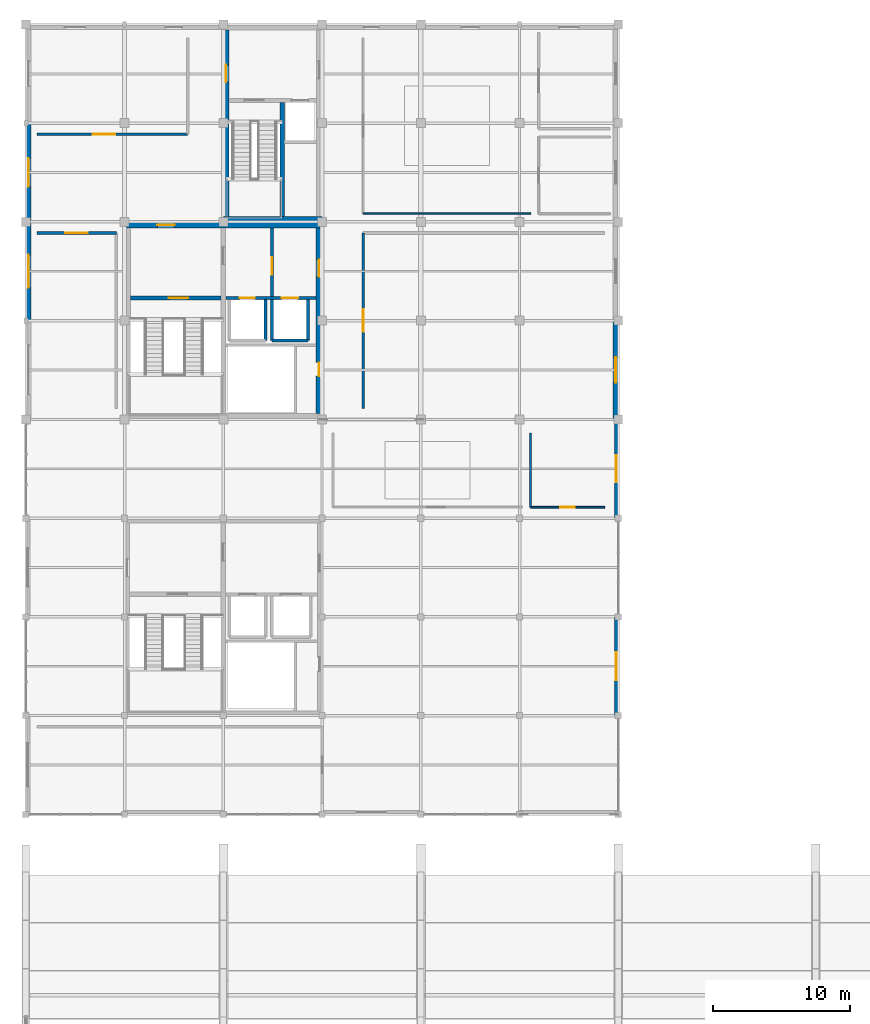
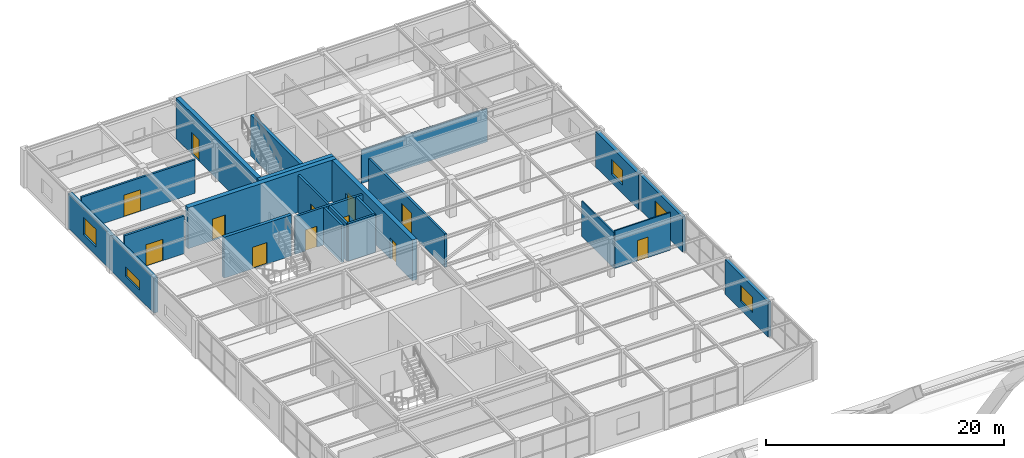
# One storey, part 57 of 64: 23 walls, 12 doors, 5 windows, 17 openings.
"""IFC4 building model written with IfcOpenShell, lengths in metres."""

from ifc_helpers import new_model, si_unit, direction, frame, frame_2d, origin, place, context, subcontext, project, spatial, rectangle, extrude, material, layer, layer_set, type_object, element, fill, save


model = new_model("IFC4")

# Units and contexts
model_context = context("Model", 3, precision=1e-05, world=origin(), true_north=direction((0.0, 1.0)))
body_context = subcontext(model_context, "Body", "Model", "MODEL_VIEW")
ifc_project = project(units=[si_unit("LENGTHUNIT", "METRE"), si_unit("AREAUNIT", "SQUARE_METRE"), si_unit("VOLUMEUNIT", "CUBIC_METRE"), si_unit("PLANEANGLEUNIT", "RADIAN"), si_unit("MASSUNIT", "GRAM", prefix="KILO")], contexts=[model_context])

# Site, building, storey
site_placement = place(None, origin())
site = spatial("IfcSite", under=ifc_project, at=site_placement, CompositionType="ELEMENT")
building_placement = place(site_placement, origin())
building = spatial("IfcBuilding", under=site, at=building_placement, Name="Leyfeld Transit Interchange", CompositionType="ELEMENT")
storey_placement = place(building_placement, frame((0.0, 0.0, 9.60009765625)))
storey = spatial("IfcBuildingStorey", under=building, at=storey_placement, Name="L02", CompositionType="ELEMENT", Elevation=9.60009765625)

# Wall, opening, window
ifc_material_1 = material(Name="Clinker brick masonry - Insulated", Category="masonry")
ifc_layer_1 = layer(ifc_material_1, 0.3798828125, Name="Clinker brick masonry - Insulated")
ifc_layer_set_1 = layer_set([ifc_layer_1], Name="Clinker brick masonry - Insulated")
wall_type_1 = type_object("IfcWallType", Name="WL-EXT-BRK-380", PredefinedType="SOLIDWALL", material=ifc_layer_set_1)
wall_1_placement = place(storey_placement, frame((0.18994140625, 100.800048828125, 0.0), z_axis=(0.0, 0.0, 1.0), x_axis=(0.0, 1.0, 0.0)))
wall_1 = element("IfcWall", 1, at=wall_1_placement, inside=storey, type_object=wall_type_1, Name="External Facade Wall EW-L02-076", PredefinedType="SOLIDWALL", context=body_context, shape_type="SweptSolid", body=[
    extrude(rectangle(XDim=7.199951171875, YDim=0.3798828125, at=frame_2d((3.60009765625, 0.0))), origin(), (0.0, 0.0, 1.0), 3.579833984375),
])
opening_1_placement = place(wall_1_placement, frame((2.39990234375, 0.0, 0.89990234375)))
opening_1 = element("IfcOpeningElement", 2, at=opening_1_placement, cuts=wall_1, Name="Opening W-05", PredefinedType="OPENING", context=body_context, shape_type="SweptSolid", body=[
    extrude(rectangle(XDim=2.39990234375, YDim=1.0, at=frame_2d((1.199951171875, 0.5))), frame((0.0, 0.199951171875, 0.0), z_axis=(0.0, -1.0, 0.0), x_axis=(1.0, 0.0, 0.0)), (0.0, 0.0, 1.0), 0.39990234375),
])
ifc_material_2 = material(Name="Triple low-E insulated glazing", Category="glass")
window_type_1 = type_object("IfcWindowType", Name="WIN-CLR-2400x1000", PartitioningType="SINGLE_PANEL", PredefinedType="WINDOW", material=ifc_material_2)
window_1_placement = place(opening_1_placement, origin())
window_1 = element("IfcWindow", 3, at=window_1_placement, inside=storey, type_object=window_type_1, Name="Facade Window L02 048", OverallHeight=1.0, OverallWidth=2.39990234375, PartitioningType="SINGLE_PANEL", PredefinedType="WINDOW", context=body_context, shape_type="SweptSolid", body=[
    extrude(rectangle(XDim=2.39990234375, YDim=1.0, at=frame_2d((1.199951171875, 0.5))), frame((0.0, 0.030029296875, 0.0), z_axis=(0.0, -1.0, 0.0), x_axis=(1.0, 0.0, 0.0)), (0.0, 0.0, 1.0), 0.06005859375),
])
fill(opening_1, window_1)

wall_2_placement = place(storey_placement, frame((0.18994140625, 108.0, 0.0), z_axis=(0.0, 0.0, 1.0), x_axis=(0.0, 1.0, 0.0)))
wall_2 = element("IfcWall", 4, at=wall_2_placement, inside=storey, type_object=wall_type_1, Name="External Facade Wall EW-L02-077", PredefinedType="SOLIDWALL", context=body_context, shape_type="SweptSolid", body=[
    extrude(rectangle(XDim=7.199951171875, YDim=0.3798828125, at=frame_2d((3.60009765625, 0.0))), origin(), (0.0, 0.0, 1.0), 3.579833984375),
])
opening_2_placement = place(wall_2_placement, frame((2.550048828125, 0.0, 0.89990234375)))
opening_2 = element("IfcOpeningElement", 5, at=opening_2_placement, cuts=wall_2, Name="Opening W-06", PredefinedType="OPENING", context=body_context, shape_type="SweptSolid", body=[
    extrude(rectangle(XDim=2.10009765625, YDim=1.800048828125, at=frame_2d((1.050048828125, 0.89990234375))), frame((0.0, 0.199951171875, 0.0), z_axis=(0.0, -1.0, 0.0), x_axis=(1.0, 0.0, 0.0)), (0.0, 0.0, 1.0), 0.39990234375),
])
window_type_2 = type_object("IfcWindowType", Name="WIN-PUN-2100x1800", PartitioningType="SINGLE_PANEL", PredefinedType="WINDOW", material=ifc_material_2)
window_2_placement = place(opening_2_placement, origin())
window_2 = element("IfcWindow", 6, at=window_2_placement, inside=storey, type_object=window_type_2, Name="Facade Window L02 049", OverallHeight=1.800048828125, OverallWidth=2.10009765625, PartitioningType="SINGLE_PANEL", PredefinedType="WINDOW", context=body_context, shape_type="SweptSolid", body=[
    extrude(rectangle(XDim=2.10009765625, YDim=1.800048828125, at=frame_2d((1.050048828125, 0.89990234375))), frame((0.0, 0.030029296875, 0.0), z_axis=(0.0, -1.0, 0.0), x_axis=(1.0, 0.0, 0.0)), (0.0, 0.0, 1.0), 0.06005859375),
])
fill(opening_2, window_2)

wall_3_placement = place(storey_placement, frame((43.010009765625, 100.800048828125, 0.0), z_axis=(0.0, 0.0, 1.0), x_axis=(0.0, -1.0, 0.0)))
wall_3 = element("IfcWall", 7, at=wall_3_placement, inside=storey, type_object=wall_type_1, Name="External Facade Wall EW-L02-087", PredefinedType="SOLIDWALL", context=body_context, shape_type="SweptSolid", body=[
    extrude(rectangle(XDim=7.199951171875, YDim=0.3798828125, at=frame_2d((3.60009765625, 0.0))), origin(), (0.0, 0.0, 1.0), 3.639892578125),
])
opening_3_placement = place(wall_3_placement, frame((2.675048828125, 0.0, 0.89990234375)))
opening_3 = element("IfcOpeningElement", 8, at=opening_3_placement, cuts=wall_3, Name="Opening WU-07", PredefinedType="OPENING", context=body_context, shape_type="SweptSolid", body=[
    extrude(rectangle(XDim=1.85009765625, YDim=1.5, at=frame_2d((0.925048828125, 0.75))), frame((0.0, 0.199951171875, 0.0), z_axis=(0.0, -1.0, 0.0), x_axis=(1.0, 0.0, 0.0)), (0.0, 0.0, 1.0), 0.39990234375),
])
window_type_3 = type_object("IfcWindowType", Name="WIN-UNQ-07", PartitioningType="SINGLE_PANEL", PredefinedType="WINDOW", material=ifc_material_2)
window_3_placement = place(opening_3_placement, origin())
window_3 = element("IfcWindow", 9, at=window_3_placement, inside=storey, type_object=window_type_3, Name="Facade Window L02 059", OverallHeight=1.5, OverallWidth=1.85009765625, PartitioningType="SINGLE_PANEL", PredefinedType="WINDOW", context=body_context, shape_type="SweptSolid", body=[
    extrude(rectangle(XDim=1.85009765625, YDim=1.5, at=frame_2d((0.925048828125, 0.75))), frame((0.0, 0.030029296875, 0.0), z_axis=(0.0, -1.0, 0.0), x_axis=(1.0, 0.0, 0.0)), (0.0, 0.0, 1.0), 0.06005859375),
])
fill(opening_3, window_3)

ifc_material_3 = material(Name="Austrian larch glulam GL28h", Category="wood")
ifc_layer_2 = layer(ifc_material_3, 0.2900390625, Name="Austrian larch glulam GL28h")
ifc_layer_set_2 = layer_set([ifc_layer_2], Name="Austrian larch glulam GL28h")
wall_type_2 = type_object("IfcWallType", Name="WL-EXT-LRC-290", PredefinedType="SOLIDWALL", material=ifc_layer_set_2)
wall_4_placement = place(storey_placement, frame((43.054931640625, 93.60009765625, 0.0), z_axis=(0.0, 0.0, 1.0), x_axis=(0.0, -1.0, 0.0)))
wall_4 = element("IfcWall", 10, at=wall_4_placement, inside=storey, type_object=wall_type_2, Name="External Facade Wall EW-L02-088", PredefinedType="SOLIDWALL", context=body_context, shape_type="SweptSolid", body=[
    extrude(rectangle(XDim=7.2001953125, YDim=0.2900390625, at=frame_2d((3.60009765625, 0.0))), origin(), (0.0, 0.0, 1.0), 3.599853515625),
])
opening_4_placement = place(wall_4_placement, frame((2.625, 0.0, 0.89990234375)))
opening_4 = element("IfcOpeningElement", 11, at=opening_4_placement, cuts=wall_4, Name="Opening WU-08", PredefinedType="OPENING", context=body_context, shape_type="SweptSolid", body=[
    extrude(rectangle(XDim=1.949951171875, YDim=1.550048828125, at=frame_2d((0.97509765625, 0.77490234375))), frame((0.0, 0.155029296875, 0.0), z_axis=(0.0, -1.0, 0.0), x_axis=(1.0, 0.0, 0.0)), (0.0, 0.0, 1.0), 0.31005859375),
])
window_type_4 = type_object("IfcWindowType", Name="WIN-UNQ-08", PartitioningType="SINGLE_PANEL", PredefinedType="WINDOW", material=ifc_material_2)
window_4_placement = place(opening_4_placement, origin())
window_4 = element("IfcWindow", 12, at=window_4_placement, inside=storey, type_object=window_type_4, Name="Facade Window L02 060", OverallHeight=1.550048828125, OverallWidth=1.949951171875, PartitioningType="SINGLE_PANEL", PredefinedType="WINDOW", context=body_context, shape_type="SweptSolid", body=[
    extrude(rectangle(XDim=1.949951171875, YDim=1.550048828125, at=frame_2d((0.97509765625, 0.77490234375))), frame((0.0, 0.030029296875, 0.0), z_axis=(0.0, -1.0, 0.0), x_axis=(1.0, 0.0, 0.0)), (0.0, 0.0, 1.0), 0.06005859375),
])
fill(opening_4, window_4)

wall_5_placement = place(storey_placement, frame((43.054931640625, 79.199951171875, 0.0), z_axis=(0.0, 0.0, 1.0), x_axis=(0.0, -1.0, 0.0)))
wall_5 = element("IfcWall", 13, at=wall_5_placement, inside=storey, type_object=wall_type_2, Name="External Facade Wall EW-L02-089", PredefinedType="SOLIDWALL", context=body_context, shape_type="SweptSolid", body=[
    extrude(rectangle(XDim=7.199951171875, YDim=0.2900390625, at=frame_2d((3.60009765625, 0.0))), origin(), (0.0, 0.0, 1.0), 3.599853515625),
])
opening_5_placement = place(wall_5_placement, frame((2.574951171875, 0.0, 0.89990234375)))
opening_5 = element("IfcOpeningElement", 14, at=opening_5_placement, cuts=wall_5, Name="Opening WU-09", PredefinedType="OPENING", context=body_context, shape_type="SweptSolid", body=[
    extrude(rectangle(XDim=2.050048828125, YDim=1.60009765625, at=frame_2d((1.02490234375, 0.800048828125))), frame((0.0, 0.155029296875, 0.0), z_axis=(0.0, -1.0, 0.0), x_axis=(1.0, 0.0, 0.0)), (0.0, 0.0, 1.0), 0.31005859375),
])
window_type_5 = type_object("IfcWindowType", Name="WIN-UNQ-09", PartitioningType="SINGLE_PANEL", PredefinedType="WINDOW", material=ifc_material_2)
window_5_placement = place(opening_5_placement, origin())
window_5 = element("IfcWindow", 15, at=window_5_placement, inside=storey, type_object=window_type_5, Name="Facade Window L02 061", OverallHeight=1.60009765625, OverallWidth=2.050048828125, PartitioningType="SINGLE_PANEL", PredefinedType="WINDOW", context=body_context, shape_type="SweptSolid", body=[
    extrude(rectangle(XDim=2.050048828125, YDim=1.60009765625, at=frame_2d((1.02490234375, 0.800048828125))), frame((0.0, 0.030029296875, 0.0), z_axis=(0.0, -1.0, 0.0), x_axis=(1.0, 0.0, 0.0)), (0.0, 0.0, 1.0), 0.06005859375),
])
fill(opening_5, window_5)

# Wall, opening, door
ifc_material_4 = material(Name="Concrete C35/45", Category="concrete")
ifc_layer_3 = layer(ifc_material_4, 0.199951171875, Name="Concrete C35/45")
ifc_layer_set_3 = layer_set([ifc_layer_3], Name="Concrete C35/45")
wall_type_3 = type_object("IfcWallType", Name="WL-INT-FFL-200", PredefinedType="PARTITIONING", material=ifc_layer_set_3)
wall_6_placement = place(storey_placement, frame((17.949951171875, 102.56005859375, 0.0), z_axis=(0.0, 0.0, 1.0), x_axis=(0.0, 1.0, 0.0)))
wall_6 = element("IfcWall", 16, at=wall_6_placement, inside=storey, type_object=wall_type_3, Name="Core K1 Firefighting Lobby Compartment Wall L02", PredefinedType="PARTITIONING", context=body_context, shape_type="SweptSolid", body=[
    extrude(rectangle(XDim=4.989990234375, YDim=0.199951171875, at=frame_2d((2.4951171875, 0.0))), origin(), (0.0, 0.0, 1.0), 3.849853515625),
])
opening_6_placement = place(wall_6_placement, frame((1.60009765625, 0.0, 0.0)))
opening_6 = element("IfcOpeningElement", 17, at=opening_6_placement, cuts=wall_6, Name="Opening DI-02", PredefinedType="OPENING", context=body_context, shape_type="SweptSolid", body=[
    extrude(rectangle(XDim=1.25, YDim=2.199951171875, at=frame_2d((0.625, 1.10009765625))), frame((0.0, 0.10986328125, 0.0), z_axis=(0.0, -1.0, 0.0), x_axis=(1.0, 0.0, 0.0)), (0.0, 0.0, 1.0), 0.219970703125),
])
ifc_material_5 = material(Name="Galvanised steel S275JR", Category="steel")
door_type_1 = type_object("IfcDoorType", Name="DR-FFL-1250x2200", OperationType="NOTDEFINED", PredefinedType="DOOR", material=ifc_material_5)
door_1_placement = place(opening_6_placement, origin())
door_1 = element("IfcDoor", 18, at=door_1_placement, inside=storey, type_object=door_type_1, Name="DR-FFL-CON-K1-L02", OperationType="SINGLE_SWING_RIGHT", OverallHeight=2.199951171875, OverallWidth=1.25, PredefinedType="DOOR", context=body_context, shape_type="SweptSolid", body=[
    extrude(rectangle(XDim=1.25, YDim=2.199951171875, at=frame_2d((0.625, 1.10009765625))), frame((0.0, 0.02490234375, 0.0), z_axis=(0.0, -1.0, 0.0), x_axis=(1.0, 0.0, 0.0)), (0.0, 0.0, 1.0), 0.050048828125),
])
fill(opening_6, door_1)

wall_7_placement = place(storey_placement, frame((24.60009765625, 94.39990234375, 0.0), z_axis=(0.0, 0.0, 1.0), x_axis=(0.0, 1.0, 0.0)))
wall_7 = element("IfcWall", 19, at=wall_7_placement, inside=storey, type_object=wall_type_3, Name="Interior Partition L02-SIG-01 W", PredefinedType="PARTITIONING", context=body_context, shape_type="SweptSolid", body=[
    extrude(rectangle(XDim=12.800048828125, YDim=0.199951171875, at=frame_2d((6.39990234375, 0.0))), origin(), (0.0, 0.0, 1.0), 3.429931640625),
])
opening_7_placement = place(wall_7_placement, frame((5.580078125, 0.0, 0.0)))
opening_7 = element("IfcOpeningElement", 20, at=opening_7_placement, cuts=wall_7, Name="Opening DU-16", PredefinedType="OPENING", context=body_context, shape_type="SweptSolid", body=[
    extrude(rectangle(XDim=1.639892578125, YDim=2.199951171875, at=frame_2d((0.81982421875, 1.10009765625))), frame((0.0, 0.10986328125, 0.0), z_axis=(0.0, -1.0, 0.0), x_axis=(1.0, 0.0, 0.0)), (0.0, 0.0, 1.0), 0.219970703125),
])
door_type_2 = type_object("IfcDoorType", Name="DR-UNQ-16", OperationType="NOTDEFINED", PredefinedType="DOOR", material=ifc_material_3)
door_2_placement = place(opening_7_placement, origin())
door_2 = element("IfcDoor", 21, at=door_2_placement, inside=storey, type_object=door_type_2, Name="DR-L02-SIG-01", OperationType="DOUBLE_DOOR_SINGLE_SWING", OverallHeight=2.199951171875, OverallWidth=1.639892578125, PredefinedType="DOOR", context=body_context, shape_type="SweptSolid", body=[
    extrude(rectangle(XDim=1.639892578125, YDim=2.199951171875, at=frame_2d((0.81982421875, 1.10009765625))), frame((0.0, 0.02490234375, 0.0), z_axis=(0.0, -1.0, 0.0), x_axis=(1.0, 0.0, 0.0)), (0.0, 0.0, 1.0), 0.050048828125),
])
fill(opening_7, door_2)

wall_8_placement = place(storey_placement, frame((0.800048828125, 107.199951171875, 0.0), z_axis=(0.0, 0.0, 1.0), x_axis=(1.0, 0.0, 0.0)))
wall_8 = element("IfcWall", 22, at=wall_8_placement, inside=storey, type_object=wall_type_3, Name="Interior Partition L02-TEL-01 N", PredefinedType="PARTITIONING", context=body_context, shape_type="SweptSolid", body=[
    extrude(rectangle(XDim=5.800048828125, YDim=0.199951171875, at=frame_2d((2.89990234375, 0.0))), origin(), (0.0, 0.0, 1.0), 3.849853515625),
])
opening_8_placement = place(wall_8_placement, frame((2.080078125, 0.0, 0.0)))
opening_8 = element("IfcOpeningElement", 23, at=opening_8_placement, cuts=wall_8, Name="Opening DU-16", PredefinedType="OPENING", context=body_context, shape_type="SweptSolid", body=[
    extrude(rectangle(XDim=1.639892578125, YDim=2.199951171875, at=frame_2d((0.81982421875, 1.10009765625))), frame((0.0, 0.10986328125, 0.0), z_axis=(0.0, -1.0, 0.0), x_axis=(1.0, 0.0, 0.0)), (0.0, 0.0, 1.0), 0.219970703125),
])
door_3_placement = place(opening_8_placement, origin())
door_3 = element("IfcDoor", 24, at=door_3_placement, inside=storey, type_object=door_type_2, Name="DR-L02-TEL-01", OperationType="DOUBLE_DOOR_SINGLE_SWING", OverallHeight=2.199951171875, OverallWidth=1.639892578125, PredefinedType="DOOR", context=body_context, shape_type="SweptSolid", body=[
    extrude(rectangle(XDim=1.639892578125, YDim=2.199951171875, at=frame_2d((0.81982421875, 1.10009765625))), frame((0.0, 0.02490234375, 0.0), z_axis=(0.0, -1.0, 0.0), x_axis=(1.0, 0.0, 0.0)), (0.0, 0.0, 1.0), 0.050048828125),
])
fill(opening_8, door_3)

# Wall
ifc_material_6 = material(Name="Gypsum plasterboard acoustic stud", Category="gypsum")
ifc_layer_4 = layer(ifc_material_6, 0.114990234375, Name="Gypsum plasterboard acoustic stud")
ifc_layer_set_4 = layer_set([ifc_layer_4], Name="Gypsum plasterboard acoustic stud")
wall_type_4 = type_object("IfcWallType", Name="WL-INT-OFF-115", PredefinedType="PARTITIONING", material=ifc_layer_set_4)
wall_9_placement = place(storey_placement, frame((36.800048828125, 108.60009765625, 0.0), z_axis=(0.0, 0.0, 1.0), x_axis=(-1.0, 0.0, 0.0)))
element("IfcWall", 25, at=wall_9_placement, inside=storey, type_object=wall_type_4, Name="Interior Partition L02-ENG-01 S", PredefinedType="PARTITIONING", context=body_context, shape_type="SweptSolid", body=[
    extrude(rectangle(XDim=12.199951171875, YDim=0.114990234375, at=frame_2d((6.10009765625, 0.0))), origin(), (0.0, 0.0, 1.0), 3.429931640625),
])

# Wall, opening, door
ifc_material_7 = material(Name="Calcium silicate masonry", Category="masonry")
ifc_layer_5 = layer(ifc_material_7, 0.18994140625, Name="Calcium silicate masonry")
ifc_layer_set_5 = layer_set([ifc_layer_5], Name="Calcium silicate masonry")
wall_type_5 = type_object("IfcWallType", Name="WL-INT-PLT-190", PredefinedType="PARTITIONING", material=ifc_layer_set_5)
wall_10_placement = place(storey_placement, frame((11.800048828125, 114.39990234375, 0.0), z_axis=(0.0, 0.0, 1.0), x_axis=(-1.0, 0.0, 0.0)))
wall_10 = element("IfcWall", 26, at=wall_10_placement, inside=storey, type_object=wall_type_5, Name="Interior Partition L02-UPS-02 S", PredefinedType="PARTITIONING", context=body_context, shape_type="SweptSolid", body=[
    extrude(rectangle(XDim=11.0, YDim=0.18994140625, at=frame_2d((5.5, 0.0))), origin(), (0.0, 0.0, 1.0), 3.429931640625),
])
opening_9_placement = place(wall_10_placement, frame((5.280029296875, 0.0, 0.0)))
opening_9 = element("IfcOpeningElement", 27, at=opening_9_placement, cuts=wall_10, Name="Opening DU-16", PredefinedType="OPENING", context=body_context, shape_type="SweptSolid", body=[
    extrude(rectangle(XDim=1.639892578125, YDim=2.199951171875, at=frame_2d((0.81982421875, 1.10009765625))), frame((0.0, 0.10498046875, 0.0), z_axis=(0.0, -1.0, 0.0), x_axis=(1.0, 0.0, 0.0)), (0.0, 0.0, 1.0), 0.2099609375),
])
door_4_placement = place(opening_9_placement, origin())
door_4 = element("IfcDoor", 28, at=door_4_placement, inside=storey, type_object=door_type_2, Name="DR-L02-UPS-02", OperationType="DOUBLE_DOOR_SINGLE_SWING", OverallHeight=2.199951171875, OverallWidth=1.639892578125, PredefinedType="DOOR", context=body_context, shape_type="SweptSolid", body=[
    extrude(rectangle(XDim=1.639892578125, YDim=2.199951171875, at=frame_2d((0.81982421875, 1.10009765625))), frame((0.0, 0.02490234375, 0.0), z_axis=(0.0, -1.0, 0.0), x_axis=(1.0, 0.0, 0.0)), (0.0, 0.0, 1.0), 0.050048828125),
])
fill(opening_9, door_4)

# Wall, openings, doors
ifc_layer_6 = layer(ifc_material_4, 0.219970703125, Name="Concrete C35/45")
ifc_layer_set_6 = layer_set([ifc_layer_6], Name="Concrete C35/45")
wall_type_6 = type_object("IfcWallType", Name="WL-INT-SHF-220", PredefinedType="PARTITIONING", material=ifc_layer_set_6)
wall_11_placement = place(storey_placement, frame((14.580078125, 102.449951171875, 0.0), z_axis=(0.0, 0.0, 1.0), x_axis=(1.0, 0.0, 0.0)))
wall_11 = element("IfcWall", 29, at=wall_11_placement, inside=storey, type_object=wall_type_6, Name="Core K1 Lift Shaft Front Wall L02", PredefinedType="PARTITIONING", context=body_context, shape_type="SweptSolid", body=[
    extrude(rectangle(XDim=6.56982421875, YDim=0.219970703125, at=frame_2d((3.284912109375, 0.0))), origin(), (0.0, 0.0, 1.0), 3.849853515625),
])
opening_10_placement = place(wall_11_placement, frame((1.02001953125, 0.0, 0.0)))
opening_10 = element("IfcOpeningElement", 30, at=opening_10_placement, cuts=wall_11, Name="Opening LD-01", PredefinedType="OPENING", context=body_context, shape_type="SweptSolid", body=[
    extrude(rectangle(XDim=1.10009765625, YDim=2.14990234375, at=frame_2d((0.550048828125, 1.074951171875))), frame((0.0, 0.119873046875, 0.0), z_axis=(0.0, -1.0, 0.0), x_axis=(1.0, 0.0, 0.0)), (0.0, 0.0, 1.0), 0.239990234375),
])
opening_11_placement = place(wall_11_placement, frame((4.070068359375, 0.0, 0.0)))
opening_11 = element("IfcOpeningElement", 31, at=opening_11_placement, cuts=wall_11, Name="Opening LD-02", PredefinedType="OPENING", context=body_context, shape_type="SweptSolid", body=[
    extrude(rectangle(XDim=1.199951171875, YDim=2.14990234375, at=frame_2d((0.60009765625, 1.074951171875))), frame((0.0, 0.119873046875, 0.0), z_axis=(0.0, -1.0, 0.0), x_axis=(1.0, 0.0, 0.0)), (0.0, 0.0, 1.0), 0.239990234375),
])
ifc_material_8 = material(Name="Stainless steel EN 1.4404", Category="steel")
door_type_3 = type_object("IfcDoorType", Name="DR-LD-FFL-1100x2150", OperationType="NOTDEFINED", PredefinedType="DOOR", material=ifc_material_8)
door_5_placement = place(opening_10_placement, origin())
door_5 = element("IfcDoor", 32, at=door_5_placement, inside=storey, type_object=door_type_3, Name="LD-FFL-1-L02", OperationType="DOUBLE_DOOR_SLIDING", OverallHeight=2.14990234375, OverallWidth=1.10009765625, PredefinedType="DOOR", context=body_context, shape_type="SweptSolid", body=[
    extrude(rectangle(XDim=1.10009765625, YDim=2.14990234375, at=frame_2d((0.550048828125, 1.074951171875))), frame((0.0, 0.02490234375, 0.0), z_axis=(0.0, -1.0, 0.0), x_axis=(1.0, 0.0, 0.0)), (0.0, 0.0, 1.0), 0.050048828125),
])
fill(opening_10, door_5)
door_type_4 = type_object("IfcDoorType", Name="DR-LD-PAS-1200x2150", OperationType="NOTDEFINED", PredefinedType="DOOR", material=ifc_material_8)
door_6_placement = place(opening_11_placement, origin())
door_6 = element("IfcDoor", 33, at=door_6_placement, inside=storey, type_object=door_type_4, Name="LD-PL-1-L02", OperationType="DOUBLE_DOOR_SLIDING", OverallHeight=2.14990234375, OverallWidth=1.199951171875, PredefinedType="DOOR", context=body_context, shape_type="SweptSolid", body=[
    extrude(rectangle(XDim=1.199951171875, YDim=2.14990234375, at=frame_2d((0.60009765625, 1.074951171875))), frame((0.0, 0.02490234375, 0.0), z_axis=(0.0, -1.0, 0.0), x_axis=(1.0, 0.0, 0.0)), (0.0, 0.0, 1.0), 0.050048828125),
])
fill(opening_11, door_6)

# Walls
wall_12_placement = place(storey_placement, frame((17.4599609375, 99.340087890625, 0.0), z_axis=(0.0, 0.0, 1.0), x_axis=(0.0, 1.0, 0.0)))
element("IfcWall", 34, at=wall_12_placement, inside=storey, type_object=wall_type_6, Name="Core K1 Lift FFL-1 Shaft Wall E L02", PredefinedType="PARTITIONING", context=body_context, shape_type="SweptSolid", body=[
    extrude(rectangle(XDim=3.0, YDim=0.219970703125, at=frame_2d((1.5, 0.0))), origin(), (0.0, 0.0, 1.0), 3.849853515625),
])
wall_13_placement = place(storey_placement, frame((17.93994140625, 99.340087890625, 0.0), z_axis=(0.0, 0.0, 1.0), x_axis=(1.0, 0.0, 0.0)))
element("IfcWall", 35, at=wall_13_placement, inside=storey, type_object=wall_type_6, Name="Core K1 Lift PL-1 Shaft Back Wall L02", PredefinedType="PARTITIONING", context=body_context, shape_type="SweptSolid", body=[
    extrude(rectangle(XDim=2.6201171875, YDim=0.219970703125, at=frame_2d((1.31005859375, 0.0))), origin(), (0.0, 0.0, 1.0), 3.849853515625),
])
for number, where, z_axis, x_axis, name in (
    (36, (17.93994140625, 99.340087890625, 0.0), (0.0, 0.0, 1.0), (0.0, 1.0, 0.0), "Core K1 Lift PL-1 Shaft Wall W L02"),
    (37, (20.56005859375, 99.340087890625, 0.0), (0.0, 0.0, 1.0), (0.0, 1.0, 0.0), "Core K1 Lift PL-1 Shaft Wall E L02"),
):
    element("IfcWall", number, at=place(storey_placement, frame(where, z_axis=z_axis, x_axis=x_axis)), inside=storey, type_object=wall_type_6, Name=name, PredefinedType="PARTITIONING", context=body_context, shape_type="SweptSolid", body=[
        extrude(rectangle(XDim=3.0, YDim=0.219970703125, at=frame_2d((1.5, 0.0))), origin(), (0.0, 0.0, 1.0), 3.849853515625),
    ])

# Wall, opening, door
ifc_material_9 = material(Name="Autoclaved aerated blockwork G4", Category="masonry")
ifc_layer_7 = layer(ifc_material_9, 0.125, Name="Autoclaved aerated blockwork G4")
ifc_layer_set_7 = layer_set([ifc_layer_7], Name="Autoclaved aerated blockwork G4")
wall_type_7 = type_object("IfcWallType", Name="WL-INT-WC-125", PredefinedType="PARTITIONING", material=ifc_layer_set_7)
wall_14_placement = place(storey_placement, frame((42.199951171875, 87.199951171875, 0.0), z_axis=(0.0, 0.0, 1.0), x_axis=(-1.0, 0.0, 0.0)))
wall_14 = element("IfcWall", 38, at=wall_14_placement, inside=storey, type_object=wall_type_7, Name="Interior Partition L02-WCA-01 S", PredefinedType="PARTITIONING", context=body_context, shape_type="SweptSolid", body=[
    extrude(rectangle(XDim=5.39990234375, YDim=0.125, at=frame_2d((2.699951171875, 0.0))), origin(), (0.0, 0.0, 1.0), 3.849853515625),
])
opening_12_placement = place(wall_14_placement, frame((2.175048828125, 0.0, 0.0)))
opening_12 = element("IfcOpeningElement", 39, at=opening_12_placement, cuts=wall_14, Name="Opening DI-09", PredefinedType="OPENING", context=body_context, shape_type="SweptSolid", body=[
    extrude(rectangle(XDim=1.050048828125, YDim=2.10009765625, at=frame_2d((0.52490234375, 1.050048828125))), frame((0.0, 0.072509765625, 0.0), z_axis=(0.0, -1.0, 0.0), x_axis=(1.0, 0.0, 0.0)), (0.0, 0.0, 1.0), 0.14501953125),
])
door_type_5 = type_object("IfcDoorType", Name="DR-WCA-1050x2100", OperationType="NOTDEFINED", PredefinedType="DOOR", material=ifc_material_3)
door_7_placement = place(opening_12_placement, origin())
door_7 = element("IfcDoor", 40, at=door_7_placement, inside=storey, type_object=door_type_5, Name="DR-L02-WCA-01", OperationType="SINGLE_SWING_RIGHT", OverallHeight=2.10009765625, OverallWidth=1.050048828125, PredefinedType="DOOR", context=body_context, shape_type="SweptSolid", body=[
    extrude(rectangle(XDim=1.050048828125, YDim=2.10009765625, at=frame_2d((0.52490234375, 1.050048828125))), frame((0.0, 0.02490234375, 0.0), z_axis=(0.0, -1.0, 0.0), x_axis=(1.0, 0.0, 0.0)), (0.0, 0.0, 1.0), 0.050048828125),
])
fill(opening_12, door_7)

# Wall
wall_15_placement = place(storey_placement, frame((36.800048828125, 87.199951171875, 0.0), z_axis=(0.0, 0.0, 1.0), x_axis=(0.0, 1.0, 0.0)))
element("IfcWall", 41, at=wall_15_placement, inside=storey, type_object=wall_type_7, Name="Interior Partition L02-WCA-01 W", PredefinedType="PARTITIONING", context=body_context, shape_type="SweptSolid", body=[
    extrude(rectangle(XDim=5.400146484375, YDim=0.125, at=frame_2d((2.7001953125, 0.0))), origin(), (0.0, 0.0, 1.0), 3.6298828125),
])

# Wall, opening, door
ifc_layer_8 = layer(ifc_material_4, 0.300048828125, Name="Concrete C35/45")
ifc_layer_set_8 = layer_set([ifc_layer_8], Name="Concrete C35/45")
wall_type_8 = type_object("IfcWallType", Name="WL-SH-300", PredefinedType="SHEAR", material=ifc_layer_set_8)
wall_16_placement = place(storey_placement, frame((7.64990234375, 102.449951171875, 0.0), z_axis=(0.0, 0.0, 1.0), x_axis=(1.0, 0.0, 0.0)))
wall_16 = element("IfcWall", 42, at=wall_16_placement, inside=storey, type_object=wall_type_8, Name="Core K1 Shear Wall STRN L02", PredefinedType="SHEAR", context=body_context, shape_type="SweptSolid", body=[
    extrude(rectangle(XDim=6.5751953125, YDim=0.300048828125, at=frame_2d((3.28759765625, 0.0))), origin(), (0.0, 0.0, 1.0), 4.199951171875),
])
opening_13_placement = place(wall_16_placement, frame((2.78759765625, 0.0, 0.0)))
opening_13 = element("IfcOpeningElement", 43, at=opening_13_placement, cuts=wall_16, Name="Opening DI-01", PredefinedType="OPENING", context=body_context, shape_type="SweptSolid", body=[
    extrude(rectangle(XDim=1.39990234375, YDim=2.199951171875, at=frame_2d((0.699951171875, 1.10009765625))), frame((0.0, 0.159912109375, 0.0), z_axis=(0.0, -1.0, 0.0), x_axis=(1.0, 0.0, 0.0)), (0.0, 0.0, 1.0), 0.320068359375),
])
door_type_6 = type_object("IfcDoorType", Name="DR-STR-1400x2200", OperationType="NOTDEFINED", PredefinedType="DOOR", material=ifc_material_5)
door_8_placement = place(opening_13_placement, origin())
door_8 = element("IfcDoor", 44, at=door_8_placement, inside=storey, type_object=door_type_6, Name="DR-STR-INT-K1-L02", OperationType="SINGLE_SWING_LEFT", OverallHeight=2.199951171875, OverallWidth=1.39990234375, PredefinedType="DOOR", context=body_context, shape_type="SweptSolid", body=[
    extrude(rectangle(XDim=1.39990234375, YDim=2.199951171875, at=frame_2d((0.699951171875, 1.10009765625))), frame((0.0, 0.02490234375, 0.0), z_axis=(0.0, -1.0, 0.0), x_axis=(1.0, 0.0, 0.0)), (0.0, 0.0, 1.0), 0.050048828125),
])
fill(opening_13, door_8)

# Walls
wall_17_placement = place(storey_placement, frame((18.699951171875, 116.699951171875, 0.0), z_axis=(0.0, 0.0, 1.0), x_axis=(0.0, -1.0, 0.0)))
element("IfcWall", 45, at=wall_17_placement, inside=storey, type_object=wall_type_8, Name="Core K2 Shear Wall SMID L02", PredefinedType="SHEAR", context=body_context, shape_type="SweptSolid", body=[
    extrude(rectangle(XDim=8.300048828125, YDim=0.300048828125, at=frame_2d((4.14990234375, 0.0))), origin(), (0.0, 0.0, 1.0), 4.199951171875),
])
ifc_layer_9 = layer(ifc_material_4, 0.39990234375, Name="Concrete C35/45")
ifc_layer_set_9 = layer_set([ifc_layer_9], Name="Concrete C35/45")
wall_type_9 = type_object("IfcWallType", Name="WL-SH-400", PredefinedType="SHEAR", material=ifc_layer_set_9)
wall_18_placement = place(storey_placement, frame((21.60009765625, 108.199951171875, 0.0), z_axis=(0.0, 0.0, 1.0), x_axis=(-1.0, 0.0, 0.0)))
element("IfcWall", 46, at=wall_18_placement, inside=storey, type_object=wall_type_9, Name="Core K2 Shear Wall S L02", PredefinedType="SHEAR", context=body_context, shape_type="SweptSolid", body=[
    extrude(rectangle(XDim=7.2001953125, YDim=0.39990234375, at=frame_2d((3.60009765625, 0.0))), origin(), (0.0, 0.0, 1.0), 4.199951171875),
])

# Wall, opening, door
wall_19_placement = place(storey_placement, frame((14.60009765625, 108.39990234375, 0.0), z_axis=(0.0, 0.0, 1.0), x_axis=(0.0, 1.0, 0.0)))
wall_19 = element("IfcWall", 47, at=wall_19_placement, inside=storey, type_object=wall_type_9, Name="Core K2 Shear Wall W L02", PredefinedType="SHEAR", context=body_context, shape_type="SweptSolid", body=[
    extrude(rectangle(XDim=13.60009765625, YDim=0.39990234375, at=frame_2d((6.800048828125, 0.0))), origin(), (0.0, 0.0, 1.0), 4.199951171875),
])
opening_14_placement = place(wall_19_placement, frame((9.800048828125, 0.0, 0.0)))
opening_14 = element("IfcOpeningElement", 48, at=opening_14_placement, cuts=wall_19, Name="Opening DI-02", PredefinedType="OPENING", context=body_context, shape_type="SweptSolid", body=[
    extrude(rectangle(XDim=1.25, YDim=2.199951171875, at=frame_2d((0.625, 1.10009765625))), frame((0.0, 0.2099609375, 0.0), z_axis=(0.0, -1.0, 0.0), x_axis=(1.0, 0.0, 0.0)), (0.0, 0.0, 1.0), 0.419921875),
])
door_9_placement = place(opening_14_placement, origin())
door_9 = element("IfcDoor", 49, at=door_9_placement, inside=storey, type_object=door_type_1, Name="DR-CORE-OUT-K2-L02-W", OperationType="SINGLE_SWING_RIGHT", OverallHeight=2.199951171875, OverallWidth=1.25, PredefinedType="DOOR", context=body_context, shape_type="SweptSolid", body=[
    extrude(rectangle(XDim=1.25, YDim=2.199951171875, at=frame_2d((0.625, 1.10009765625))), frame((0.0, 0.02490234375, 0.0), z_axis=(0.0, -1.0, 0.0), x_axis=(1.0, 0.0, 0.0)), (0.0, 0.0, 1.0), 0.050048828125),
])
fill(opening_14, door_9)

ifc_layer_10 = layer(ifc_material_4, 0.449951171875, Name="Concrete C35/45")
ifc_layer_set_10 = layer_set([ifc_layer_10], Name="Concrete C35/45")
wall_type_10 = type_object("IfcWallType", Name="WL-SH-450", PredefinedType="SHEAR", material=ifc_layer_set_10)
wall_20_placement = place(storey_placement, frame((7.199951171875, 107.77490234375, 0.0), z_axis=(0.0, 0.0, 1.0), x_axis=(1.0, 0.0, 0.0)))
wall_20 = element("IfcWall", 50, at=wall_20_placement, inside=storey, type_object=wall_type_10, Name="Core K1 Shear Wall N L02", PredefinedType="SHEAR", context=body_context, shape_type="SweptSolid", body=[
    extrude(rectangle(XDim=14.400146484375, YDim=0.449951171875, at=frame_2d((7.2001953125, 0.0))), origin(), (0.0, 0.0, 1.0), 4.199951171875),
])
opening_15_placement = place(wall_20_placement, frame((2.39990234375, 0.0, 0.0)))
opening_15 = element("IfcOpeningElement", 51, at=opening_15_placement, cuts=wall_20, Name="Opening DI-02", PredefinedType="OPENING", context=body_context, shape_type="SweptSolid", body=[
    extrude(rectangle(XDim=1.25, YDim=2.199951171875, at=frame_2d((0.625, 1.10009765625))), frame((0.0, 0.23486328125, 0.0), z_axis=(0.0, -1.0, 0.0), x_axis=(1.0, 0.0, 0.0)), (0.0, 0.0, 1.0), 0.469970703125),
])
door_10_placement = place(opening_15_placement, origin())
door_10 = element("IfcDoor", 52, at=door_10_placement, inside=storey, type_object=door_type_1, Name="DR-CORE-OUT-K1-L02-N", OperationType="SINGLE_SWING_LEFT", OverallHeight=2.199951171875, OverallWidth=1.25, PredefinedType="DOOR", context=body_context, shape_type="SweptSolid", body=[
    extrude(rectangle(XDim=1.25, YDim=2.199951171875, at=frame_2d((0.625, 1.10009765625))), frame((0.0, 0.02490234375, 0.0), z_axis=(0.0, -1.0, 0.0), x_axis=(1.0, 0.0, 0.0)), (0.0, 0.0, 1.0), 0.050048828125),
])
fill(opening_15, door_10)

# Wall, openings, doors
wall_21_placement = place(storey_placement, frame((21.375, 107.550048828125, 0.0), z_axis=(0.0, 0.0, 1.0), x_axis=(0.0, -1.0, 0.0)))
wall_21 = element("IfcWall", 53, at=wall_21_placement, inside=storey, type_object=wall_type_10, Name="Core K1 Shear Wall E L02", PredefinedType="SHEAR", context=body_context, shape_type="SweptSolid", body=[
    extrude(rectangle(XDim=13.5, YDim=0.449951171875, at=frame_2d((6.75, 0.0))), origin(), (0.0, 0.0, 1.0), 4.199951171875),
])
opening_16_placement = place(wall_21_placement, frame((9.800048828125, 0.0, 0.0)))
opening_16 = element("IfcOpeningElement", 54, at=opening_16_placement, cuts=wall_21, Name="Opening DI-05", PredefinedType="OPENING", context=body_context, shape_type="SweptSolid", body=[
    extrude(rectangle(XDim=1.0, YDim=2.14990234375, at=frame_2d((0.5, 1.074951171875))), frame((0.0, 0.23486328125, 0.0), z_axis=(0.0, -1.0, 0.0), x_axis=(1.0, 0.0, 0.0)), (0.0, 0.0, 1.0), 0.469970703125),
])
opening_17_placement = place(wall_21_placement, frame((2.300048828125, 0.0, 0.0)))
opening_17 = element("IfcOpeningElement", 55, at=opening_17_placement, cuts=wall_21, Name="Opening DI-02", PredefinedType="OPENING", context=body_context, shape_type="SweptSolid", body=[
    extrude(rectangle(XDim=1.25, YDim=2.199951171875, at=frame_2d((0.625, 1.10009765625))), frame((0.0, 0.23486328125, 0.0), z_axis=(0.0, -1.0, 0.0), x_axis=(1.0, 0.0, 0.0)), (0.0, 0.0, 1.0), 0.469970703125),
])
door_11_placement = place(opening_17_placement, origin())
door_11 = element("IfcDoor", 56, at=door_11_placement, inside=storey, type_object=door_type_1, Name="DR-CORE-OUT-K1-L02-E", OperationType="SINGLE_SWING_RIGHT", OverallHeight=2.199951171875, OverallWidth=1.25, PredefinedType="DOOR", context=body_context, shape_type="SweptSolid", body=[
    extrude(rectangle(XDim=1.25, YDim=2.199951171875, at=frame_2d((0.625, 1.10009765625))), frame((0.0, 0.02490234375, 0.0), z_axis=(0.0, -1.0, 0.0), x_axis=(1.0, 0.0, 0.0)), (0.0, 0.0, 1.0), 0.050048828125),
])
fill(opening_17, door_11)
door_type_7 = type_object("IfcDoorType", Name="DR-OFF-1000x2150", OperationType="NOTDEFINED", PredefinedType="DOOR", material=ifc_material_3)
door_12_placement = place(opening_16_placement, origin())
door_12 = element("IfcDoor", 57, at=door_12_placement, inside=storey, type_object=door_type_7, Name="DR-RSR-K1-L02", OperationType="SINGLE_SWING_LEFT", OverallHeight=2.14990234375, OverallWidth=1.0, PredefinedType="DOOR", context=body_context, shape_type="SweptSolid", body=[
    extrude(rectangle(XDim=1.0, YDim=2.14990234375, at=frame_2d((0.5, 1.074951171875))), frame((0.0, 0.02490234375, 0.0), z_axis=(0.0, -1.0, 0.0), x_axis=(1.0, 0.0, 0.0)), (0.0, 0.0, 1.0), 0.050048828125),
])
fill(opening_16, door_12)

save(model, "model.ifc")
